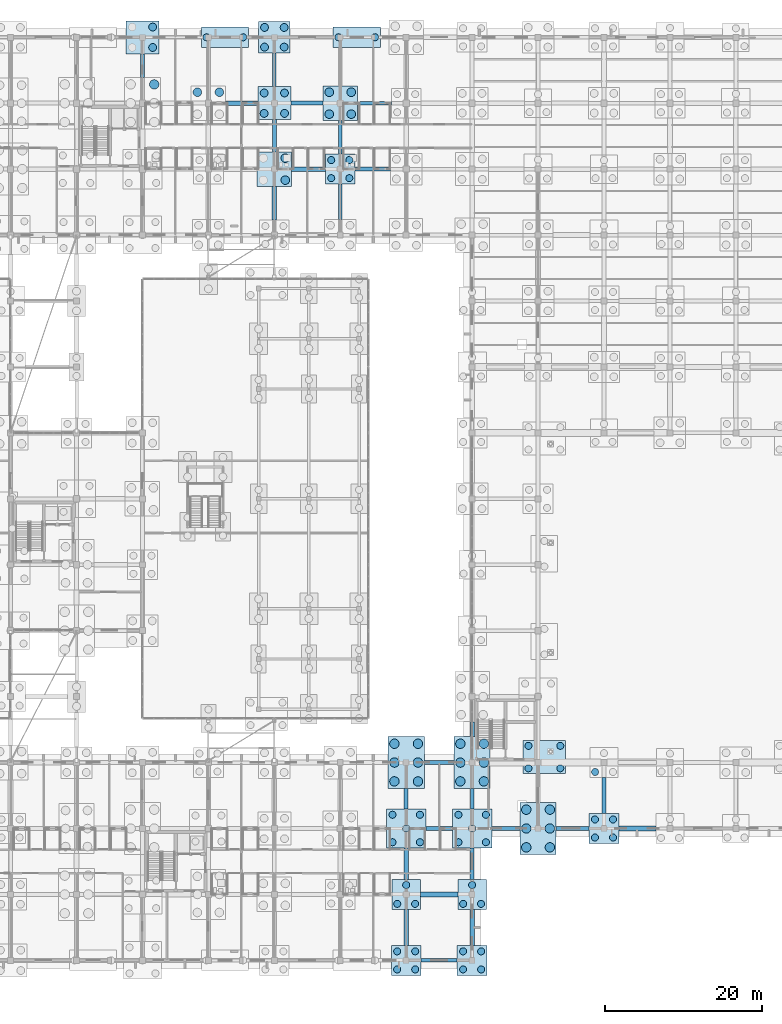
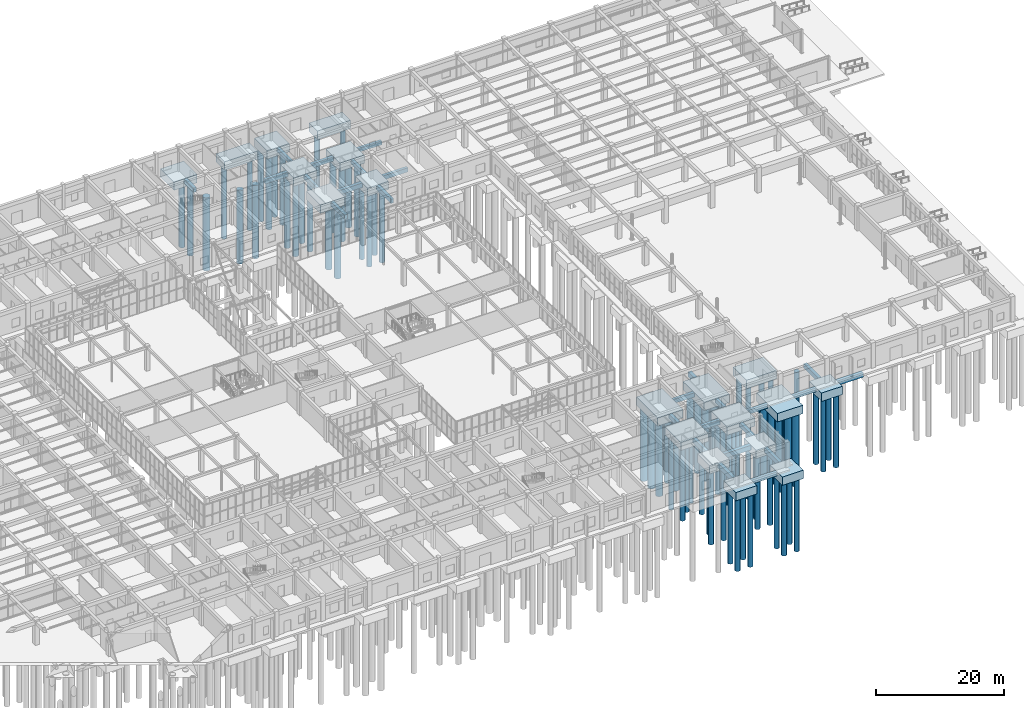
# One storey, part 12 of 192: 78 piles, 45 footings.
"""IFC4 building model written with IfcOpenShell, lengths in metres."""

import ifcopenshell
import ifcopenshell.guid

model = None  # the IFC model being written
_history = None  # IfcOwnerHistory: only IFC2X3 demands one
_inside = {}  # id of a spatial element -> (the spatial element, [elements in it])
_under = {}  # id of a project, library or spatial element -> (it, [spatial elements below it])
_declared = {}  # id of a project -> (the project, [libraries it declares])
_typed = {}  # id of a type object -> (the type object, [elements of that type])
_made_of = {}  # id of a material, layer set ... -> (it, [elements and type objects made of it])


def new_model(schema):
    """Start an empty IFC model of exactly this schema.

    Asked for "IFC4X3", IfcOpenShell would pick the latest addendum, in which some entities
    have other attributes; the version numbers below select the first issue.
    IFC2X3 requires an IfcOwnerHistory on every rooted entity: one is made here for all.
    """
    global model, _history
    if schema == "IFC4X3":
        model = ifcopenshell.file(schema_version=(4, 3, 0, 0))
    else:
        model = ifcopenshell.file(schema=schema)
    _inside.clear()
    _under.clear()
    _declared.clear()
    _typed.clear()
    _made_of.clear()
    _history = None
    if model.schema == "IFC2X3":
        org = make("IfcOrganization", Name="unknown")
        user = make(
            "IfcPersonAndOrganization",
            ThePerson=make("IfcPerson", FamilyName="unknown"),
            TheOrganization=org,
        )
        app = make(
            "IfcApplication",
            ApplicationDeveloper=org,
            Version="unknown",
            ApplicationFullName="unknown",
            ApplicationIdentifier="unknown",
        )
        _history = make(
            "IfcOwnerHistory",
            OwningUser=user,
            OwningApplication=app,
            ChangeAction="ADDED",
            CreationDate=0,
        )
    return model


def make(cls, **values):
    """One entity of the class cls with the attributes given. An attribute that is None is left unset."""
    return model.create_entity(
        cls, **{name: value for name, value in values.items() if value is not None}
    )


def rooted(cls, **values):
    """An entity with a GlobalId (a new one), such as an element, a storey or a relation."""
    return make(cls, GlobalId=ifcopenshell.guid.new(), OwnerHistory=_history, **values)


def si_unit(unit_type, name, prefix=None):
    """IfcSIUnit, for example si_unit("LENGTHUNIT", "METRE", prefix="MILLI")."""
    return make("IfcSIUnit", UnitType=unit_type, Prefix=prefix, Name=name)


def assignment(units):
    """IfcUnitAssignment: the units of a project."""
    return None if units is None else make("IfcUnitAssignment", Units=units)


def point(xyz):
    """IfcCartesianPoint."""
    return None if xyz is None else make("IfcCartesianPoint", Coordinates=xyz)


def direction(xyz):
    """IfcDirection."""
    return None if xyz is None else make("IfcDirection", DirectionRatios=xyz)


def frame(location, z_axis=None, x_axis=None):
    """IfcAxis2Placement3D, a coordinate frame: its origin and axes. An axis left out is left unset."""
    return make(
        "IfcAxis2Placement3D",
        Location=point(location),
        Axis=direction(z_axis),
        RefDirection=direction(x_axis),
    )


def frame_2d(location, x_axis=None):
    """IfcAxis2Placement2D, a coordinate frame in the plane: its origin and x axis."""
    return make(
        "IfcAxis2Placement2D", Location=point(location), RefDirection=direction(x_axis)
    )


def origin():
    """The frame at (0, 0, 0) with its axes left unset."""
    return frame((0.0, 0.0, 0.0))


def origin_2d():
    """The frame at (0, 0) in the plane with its x axis left unset."""
    return frame_2d((0.0, 0.0))


def place(relative_to, where):
    """IfcLocalPlacement: puts the frame where relative to a parent placement (None: the world)."""
    return make(
        "IfcLocalPlacement", PlacementRelTo=relative_to, RelativePlacement=where
    )


def context(
    kind, dimensions, precision=None, world=None, true_north=None, identifier=None
):
    """IfcGeometricRepresentationContext, for example the 3D "Model" context."""
    return make(
        "IfcGeometricRepresentationContext",
        ContextIdentifier=identifier,
        ContextType=kind,
        CoordinateSpaceDimension=dimensions,
        Precision=precision,
        WorldCoordinateSystem=world,
        TrueNorth=true_north,
    )


def subcontext(parent, identifier, kind, view, scale=None):
    """IfcGeometricRepresentationSubContext, for example "Body" below "Model"."""
    return make(
        "IfcGeometricRepresentationSubContext",
        ContextIdentifier=identifier,
        ContextType=kind,
        ParentContext=parent,
        TargetScale=scale,
        TargetView=view,
    )


def project(units=None, contexts=None):
    """IfcProject with its units and contexts."""
    return rooted(
        "IfcProject",
        Name="project",
        RepresentationContexts=contexts,
        UnitsInContext=assignment(units),
    )


def spatial(cls, under=None, at=None, **own):
    """A site, building, storey or space (cls), placed at a placement, below another one or the project."""
    s = rooted(cls, ObjectPlacement=at, **own)
    if under is not None:
        _under.setdefault(under.id(), (under, []))[1].append(s)
    return s


def profile(cls, at=None, kind="AREA", **sizes):
    """A parametric profile (cls). Its sizes go by their IFC names, for example OverallWidth=200.0."""
    return make(cls, ProfileType=kind, Position=at, **sizes)


def rectangle(**sizes):
    """IfcRectangleProfileDef."""
    return profile("IfcRectangleProfileDef", **sizes)


def circle(**sizes):
    """IfcCircleProfileDef."""
    return profile("IfcCircleProfileDef", **sizes)


def extrude(swept, where, along, depth):
    """IfcExtrudedAreaSolid: the profile swept, set in the frame where, extruded along a direction by depth."""
    return make(
        "IfcExtrudedAreaSolid",
        SweptArea=swept,
        Position=where,
        ExtrudedDirection=direction(along),
        Depth=depth,
    )


def shape(context_of_items, identifier, shape_type, items):
    """IfcShapeRepresentation: the items that make up one representation, for example the "Body"."""
    return make(
        "IfcShapeRepresentation",
        ContextOfItems=context_of_items,
        RepresentationIdentifier=identifier,
        RepresentationType=shape_type,
        Items=items,
    )


def material(Name=None, Category=None):
    """IfcMaterial."""
    return make("IfcMaterial", Name=Name, Category=Category)


def layer(
    of_material, thickness, ventilated=None, Name=None, Category=None, Priority=None
):
    """IfcMaterialLayer: one layer of a wall or slab, of a material (None: an air gap)."""
    return make(
        "IfcMaterialLayer",
        Material=of_material,
        LayerThickness=thickness,
        IsVentilated=ventilated,
        Name=Name,
        Category=Category,
        Priority=Priority,
    )


def layer_set(layers, Name=None):
    """IfcMaterialLayerSet."""
    return make("IfcMaterialLayerSet", MaterialLayers=layers, LayerSetName=Name)


def material_profile(
    of_material, cross_section, Name=None, Category=None, Priority=None
):
    """IfcMaterialProfile: a cross section and its material."""
    return make(
        "IfcMaterialProfile",
        Name=Name,
        Material=of_material,
        Profile=cross_section,
        Priority=Priority,
        Category=Category,
    )


def profile_set(profiles, Name=None, composite=None):
    """IfcMaterialProfileSet."""
    return make(
        "IfcMaterialProfileSet",
        Name=Name,
        MaterialProfiles=profiles,
        CompositeProfile=composite,
    )


def made_of(thing, what):
    """Note that an element or type object is made of a material, layer set ...; save() writes the relation."""
    if what is not None:
        _made_of.setdefault(what.id(), (what, []))[1].append(thing)
    return thing


def type_object(cls, material=None, **own):
    """A type object (cls), such as IfcWallType, which elements share."""
    return made_of(rooted(cls, **own), material)


def element(
    cls,
    number,
    at=None,
    inside=None,
    cuts=None,
    type_object=None,
    material=None,
    context=None,
    identifier="Body",
    shape_type=None,
    held_by="IfcProductDefinitionShape",
    body=None,
    shapes=None,
    **own,
):
    """One element of the class cls, such as IfcWall. Its Tag is "e" and its number.

    at: its placement. inside: the storey or other place that contains it. cuts: it is an
    opening in that element (IfcRelVoidsElement). A single representation is given by context,
    identifier, shape_type and body (its items); several are given by shapes. held_by: the class
    of the entity that holds the representations. save() writes the other relations.
    """
    e = rooted(cls, Tag="e%d" % number, ObjectPlacement=at, **own)
    if body is not None:
        shapes = [shape(context, identifier, shape_type, body)]
    if shapes is not None:
        e.Representation = make(held_by, Representations=shapes)
    if inside is not None:
        _inside.setdefault(inside.id(), (inside, []))[1].append(e)
    if cuts is not None:
        rooted(
            "IfcRelVoidsElement", RelatingBuildingElement=cuts, RelatedOpeningElement=e
        )
    if type_object is not None:
        _typed.setdefault(type_object.id(), (type_object, []))[1].append(e)
    return made_of(e, material)


def aggregate(whole, parts):
    """IfcRelAggregates: a whole, such as a stair, and the parts it consists of."""
    return rooted("IfcRelAggregates", RelatingObject=whole, RelatedObjects=parts)


def save(model, path):
    """Write the relations noted so far, then the file.

    IfcRelAggregates (storeys below a building ...), IfcRelContainedInSpatialStructure (elements
    in a storey), IfcRelDefinesByType, IfcRelAssociatesMaterial and IfcRelDeclares: one each for
    every whole, place, type object, material and project.
    """
    for whole, parts in _under.values():
        aggregate(whole, parts)
    for where, things in _inside.values():
        rooted(
            "IfcRelContainedInSpatialStructure",
            RelatedElements=things,
            RelatingStructure=where,
        )
    for kind, things in _typed.values():
        rooted("IfcRelDefinesByType", RelatedObjects=things, RelatingType=kind)
    for what, things in _made_of.values():
        rooted("IfcRelAssociatesMaterial", RelatedObjects=things, RelatingMaterial=what)
    for by, libraries in _declared.values():
        rooted("IfcRelDeclares", RelatingContext=by, RelatedDefinitions=libraries)
    model.write(path)


model = new_model("IFC4")

# Units and contexts
model_context = context("Model", 3, precision=1e-05, world=origin(), true_north=direction((0.0, 1.0)))
body_context = subcontext(model_context, "Body", "Model", "MODEL_VIEW")
ifc_project = project(units=[si_unit("LENGTHUNIT", "METRE"), si_unit("AREAUNIT", "SQUARE_METRE"), si_unit("VOLUMEUNIT", "CUBIC_METRE"), si_unit("PLANEANGLEUNIT", "RADIAN"), si_unit("MASSUNIT", "GRAM", prefix="KILO")], contexts=[model_context])

# Site, building, storey
site_placement = place(None, origin())
site = spatial("IfcSite", under=ifc_project, at=site_placement, CompositionType="ELEMENT")
building_placement = place(site_placement, origin())
building = spatial("IfcBuilding", under=site, at=building_placement, Name="Trelvath General Hospital", CompositionType="ELEMENT")
storey_placement = place(building_placement, origin())
storey = spatial("IfcBuildingStorey", under=building, at=storey_placement, Name="L00", CompositionType="ELEMENT", Elevation=0.0)

# Piles
ifc_material_1 = material(Name="Concrete C35/45", Category="concrete")
ifc_material_profile_1 = material_profile(ifc_material_1, circle(Radius=0.5, at=origin_2d()), Name="PILE1000")
ifc_profile_set_1 = profile_set([ifc_material_profile_1], Name="Concrete C35/45")
pile_type_1 = type_object("IfcPileType", Name="BoredPile D1000", PredefinedType="BORED", material=ifc_profile_set_1)
for number, where, z_axis, x_axis, name in (
    (1, (93.699951171875, 116.300048828125, -1.800048828125), (0.0, 0.0, -1.0), (1.0, 0.0, 0.0), "Bored Pile P-0698"),
    (2, (93.699951171875, 118.89990234375, -1.800048828125), (0.0, 0.0, -1.0), (1.0, 0.0, 0.0), "Bored Pile P-0700"),
    (3, (107.89990234375, 107.89990234375, -1.800048828125), (0.0, 0.0, -1.0), (1.0, 0.0, 0.0), "Bored Pile P-0786"),
    (4, (110.5, 107.89990234375, -1.800048828125), (0.0, 0.0, -1.0), (1.0, 0.0, 0.0), "Bored Pile P-0787"),
    (5, (107.89990234375, 110.5, -1.800048828125), (0.0, 0.0, -1.0), (1.0, 0.0, 0.0), "Bored Pile P-0788"),
    (6, (110.5, 110.5, -1.800048828125), (0.0, 0.0, -1.0), (1.0, 0.0, 0.0), "Bored Pile P-0789"),
    (7, (107.949951171875, 116.35009765625, -1.800048828125), (0.0, 0.0, -1.0), (1.0, 0.0, 0.0), "Bored Pile P-0790"),
    (8, (110.449951171875, 116.35009765625, -1.800048828125), (0.0, 0.0, -1.0), (1.0, 0.0, 0.0), "Bored Pile P-0791"),
    (9, (107.949951171875, 118.85009765625, -1.800048828125), (0.0, 0.0, -1.0), (1.0, 0.0, 0.0), "Bored Pile P-0792"),
    (10, (110.449951171875, 118.85009765625, -1.800048828125), (0.0, 0.0, -1.0), (1.0, 0.0, 0.0), "Bored Pile P-0793"),
):
    element("IfcPile", number, at=place(storey_placement, frame(where, z_axis=z_axis, x_axis=x_axis)), inside=storey, type_object=pile_type_1, Name=name, PredefinedType="BORED", context=body_context, shape_type="SweptSolid", body=[
        extrude(circle(Radius=0.5, at=origin_2d()), origin(), (0.0, 0.0, 1.0), 14.0),
    ])
ifc_material_2 = material(Name="Concrete C35/45", Category="concrete")
ifc_material_profile_2 = material_profile(ifc_material_2, circle(Radius=0.550048828125, at=origin_2d()), Name="PILE1100")
ifc_profile_set_2 = profile_set([ifc_material_profile_2], Name="Concrete C35/45")
pile_type_2 = type_object("IfcPileType", Name="BoredPile D1100", PredefinedType="BORED", material=ifc_profile_set_2)
for number, where, z_axis, x_axis, name in (
    (11, (99.39990234375, 110.60009765625, -1.800048828125), (0.0, 0.0, -1.0), (1.0, 0.0, 0.0), "Bored Pile P-0736"),
    (12, (102.199951171875, 110.60009765625, -1.800048828125), (0.0, 0.0, -1.0), (1.0, 0.0, 0.0), "Bored Pile P-0737"),
    (13, (110.60009765625, 99.39990234375, -1.800048828125), (0.0, 0.0, -1.0), (1.0, 0.0, 0.0), "Bored Pile P-0783"),
    (14, (110.60009765625, 102.199951171875, -1.800048828125), (0.0, 0.0, -1.0), (1.0, 0.0, 0.0), "Bored Pile P-0785"),
    (15, (116.199951171875, 107.800048828125, -1.800048828125), (0.0, 0.0, -1.0), (1.0, 0.0, 0.0), "Bored Pile P-0830"),
    (16, (119.0, 107.800048828125, -1.800048828125), (0.0, 0.0, -1.0), (1.0, 0.0, 0.0), "Bored Pile P-0831"),
    (17, (116.199951171875, 110.60009765625, -1.800048828125), (0.0, 0.0, -1.0), (1.0, 0.0, 0.0), "Bored Pile P-0832"),
    (18, (119.0, 110.60009765625, -1.800048828125), (0.0, 0.0, -1.0), (1.0, 0.0, 0.0), "Bored Pile P-0833"),
):
    element("IfcPile", number, at=place(storey_placement, frame(where, z_axis=z_axis, x_axis=x_axis)), inside=storey, type_object=pile_type_2, Name=name, PredefinedType="BORED", context=body_context, shape_type="SweptSolid", body=[
        extrude(circle(Radius=0.550048828125, at=origin_2d()), origin(), (0.0, 0.0, 1.0), 14.0),
    ])
ifc_material_3 = material(Name="Concrete C35/45", Category="concrete")
ifc_material_profile_3 = material_profile(ifc_material_3, circle(Radius=0.60009765625, at=origin_2d()), Name="PILE1200")
ifc_profile_set_3 = profile_set([ifc_material_profile_3], Name="Concrete C35/45")
pile_type_3 = type_object("IfcPileType", Name="BoredPile D1200", PredefinedType="BORED", material=ifc_profile_set_3)
for number, where, z_axis, x_axis, name in (
    (19, (93.89990234375, 111.60009765625, -1.800048828125), (0.0, 0.0, -1.0), (1.0, 0.0, 0.0), "Bored Pile P-0696"),
    (20, (124.5, 22.800048828125, -1.800048828125), (0.0, 0.0, -1.0), (1.0, 0.0, 0.0), "Bored Pile P-0862"),
    (21, (127.5, 22.800048828125, -1.800048828125), (0.0, 0.0, -1.0), (1.0, 0.0, 0.0), "Bored Pile P-0863"),
    (22, (124.5, 25.199951171875, -1.800048828125), (0.0, 0.0, -1.0), (1.0, 0.0, 0.0), "Bored Pile P-0864"),
    (23, (127.5, 25.199951171875, -1.800048828125), (0.0, 0.0, -1.0), (1.0, 0.0, 0.0), "Bored Pile P-0865"),
    (24, (124.5, 27.60009765625, -1.800048828125), (0.0, 0.0, -1.0), (1.0, 0.0, 0.0), "Bored Pile P-0866"),
    (25, (127.5, 27.60009765625, -1.800048828125), (0.0, 0.0, -1.0), (1.0, 0.0, 0.0), "Bored Pile P-0867"),
    (26, (132.89990234375, 22.800048828125, -1.800048828125), (0.0, 0.0, -1.0), (1.0, 0.0, 0.0), "Bored Pile P-0896"),
    (27, (135.89990234375, 22.800048828125, -1.800048828125), (0.0, 0.0, -1.0), (1.0, 0.0, 0.0), "Bored Pile P-0897"),
    (28, (132.89990234375, 25.199951171875, -1.800048828125), (0.0, 0.0, -1.0), (1.0, 0.0, 0.0), "Bored Pile P-0898"),
    (29, (135.89990234375, 25.199951171875, -1.800048828125), (0.0, 0.0, -1.0), (1.0, 0.0, 0.0), "Bored Pile P-0899"),
    (30, (132.89990234375, 27.60009765625, -1.800048828125), (0.0, 0.0, -1.0), (1.0, 0.0, 0.0), "Bored Pile P-0900"),
    (31, (135.89990234375, 27.60009765625, -1.800048828125), (0.0, 0.0, -1.0), (1.0, 0.0, 0.0), "Bored Pile P-0901"),
    (32, (141.300048828125, 14.39990234375, -1.800048828125), (0.0, 0.0, -1.0), (1.0, 0.0, 0.0), "Bored Pile P-0944"),
    (33, (144.300048828125, 14.39990234375, -1.800048828125), (0.0, 0.0, -1.0), (1.0, 0.0, 0.0), "Bored Pile P-0945"),
    (34, (141.300048828125, 16.800048828125, -1.800048828125), (0.0, 0.0, -1.0), (1.0, 0.0, 0.0), "Bored Pile P-0946"),
    (35, (144.300048828125, 16.800048828125, -1.800048828125), (0.0, 0.0, -1.0), (1.0, 0.0, 0.0), "Bored Pile P-0947"),
    (36, (141.300048828125, 19.199951171875, -1.800048828125), (0.0, 0.0, -1.0), (1.0, 0.0, 0.0), "Bored Pile P-0948"),
    (37, (144.300048828125, 19.199951171875, -1.800048828125), (0.0, 0.0, -1.0), (1.0, 0.0, 0.0), "Bored Pile P-0949"),
):
    element("IfcPile", number, at=place(storey_placement, frame(where, z_axis=z_axis, x_axis=x_axis)), inside=storey, type_object=pile_type_3, Name=name, PredefinedType="BORED", context=body_context, shape_type="SweptSolid", body=[
        extrude(circle(Radius=0.60009765625, at=origin_2d()), origin(), (0.0, 0.0, 1.0), 14.0),
    ])
ifc_material_4 = material(Name="Concrete C35/45", Category="concrete")
ifc_material_profile_4 = material_profile(ifc_material_4, circle(Radius=0.449951171875, at=origin_2d()), Name="PILE900")
ifc_profile_set_4 = profile_set([ifc_material_profile_4], Name="Concrete C35/45")
pile_type_4 = type_object("IfcPileType", Name="BoredPile D900", PredefinedType="BORED", material=ifc_profile_set_4)
for number, where, z_axis, x_axis, name in (
    (38, (100.570068359375, 117.60009765625, -1.800048828125), (0.0, 0.0, -1.0), (1.0, 0.0, 0.0), "Bored Pile P-0738"),
    (39, (105.22998046875, 117.60009765625, -1.800048828125), (0.0, 0.0, -1.0), (1.0, 0.0, 0.0), "Bored Pile P-0739"),
    (40, (116.449951171875, 99.64990234375, -1.800048828125), (0.0, 0.0, -1.0), (1.0, 0.0, 0.0), "Bored Pile P-0826"),
    (41, (118.75, 99.64990234375, -1.800048828125), (0.0, 0.0, -1.0), (1.0, 0.0, 0.0), "Bored Pile P-0827"),
    (42, (116.449951171875, 101.949951171875, -1.800048828125), (0.0, 0.0, -1.0), (1.0, 0.0, 0.0), "Bored Pile P-0828"),
    (43, (118.75, 101.949951171875, -1.800048828125), (0.0, 0.0, -1.0), (1.0, 0.0, 0.0), "Bored Pile P-0829"),
    (44, (117.3701171875, 117.60009765625, -1.800048828125), (0.0, 0.0, -1.0), (1.0, 0.0, 0.0), "Bored Pile P-0834"),
    (45, (122.030029296875, 117.60009765625, -1.800048828125), (0.0, 0.0, -1.0), (1.0, 0.0, 0.0), "Bored Pile P-0835"),
    (46, (124.85009765625, -1.14990234375, -1.800048828125), (0.0, 0.0, -1.0), (1.0, 0.0, 0.0), "Bored Pile P-0850"),
    (47, (127.14990234375, -1.14990234375, -1.800048828125), (0.0, 0.0, -1.0), (1.0, 0.0, 0.0), "Bored Pile P-0851"),
    (48, (124.85009765625, 1.14990234375, -1.800048828125), (0.0, 0.0, -1.0), (1.0, 0.0, 0.0), "Bored Pile P-0852"),
    (49, (127.14990234375, 1.14990234375, -1.800048828125), (0.0, 0.0, -1.0), (1.0, 0.0, 0.0), "Bored Pile P-0853"),
    (50, (124.860107421875, 7.199951171875, -1.800048828125), (0.0, 0.0, -1.0), (1.0, 0.0, 0.0), "Bored Pile P-0854"),
    (51, (127.139892578125, 7.199951171875, -1.800048828125), (0.0, 0.0, -1.0), (1.0, 0.0, 0.0), "Bored Pile P-0855"),
    (52, (126.0, 9.60009765625, -1.800048828125), (0.0, 0.0, -1.0), (1.0, 0.0, 0.0), "Bored Pile P-0856"),
    (53, (124.25, 15.050048828125, -1.800048828125), (0.0, 0.0, -1.0), (1.0, 0.0, 0.0), "Bored Pile P-0857"),
    (54, (127.75, 15.050048828125, -1.800048828125), (0.0, 0.0, -1.0), (1.0, 0.0, 0.0), "Bored Pile P-0858"),
    (55, (126.0, 16.800048828125, -1.800048828125), (0.0, 0.0, -1.0), (1.0, 0.0, 0.0), "Bored Pile P-0859"),
    (56, (124.25, 18.550048828125, -1.800048828125), (0.0, 0.0, -1.0), (1.0, 0.0, 0.0), "Bored Pile P-0860"),
    (57, (127.75, 18.550048828125, -1.800048828125), (0.0, 0.0, -1.0), (1.0, 0.0, 0.0), "Bored Pile P-0861"),
    (58, (133.25, -1.14990234375, -1.800048828125), (0.0, 0.0, -1.0), (1.0, 0.0, 0.0), "Bored Pile P-0884"),
    (59, (135.550048828125, -1.14990234375, -1.800048828125), (0.0, 0.0, -1.0), (1.0, 0.0, 0.0), "Bored Pile P-0885"),
    (60, (133.25, 1.14990234375, -1.800048828125), (0.0, 0.0, -1.0), (1.0, 0.0, 0.0), "Bored Pile P-0886"),
    (61, (135.550048828125, 1.14990234375, -1.800048828125), (0.0, 0.0, -1.0), (1.0, 0.0, 0.0), "Bored Pile P-0887"),
    (62, (133.260009765625, 7.199951171875, -1.800048828125), (0.0, 0.0, -1.0), (1.0, 0.0, 0.0), "Bored Pile P-0888"),
    (63, (135.5400390625, 7.199951171875, -1.800048828125), (0.0, 0.0, -1.0), (1.0, 0.0, 0.0), "Bored Pile P-0889"),
    (64, (134.39990234375, 9.60009765625, -1.800048828125), (0.0, 0.0, -1.0), (1.0, 0.0, 0.0), "Bored Pile P-0890"),
    (65, (132.64990234375, 15.050048828125, -1.800048828125), (0.0, 0.0, -1.0), (1.0, 0.0, 0.0), "Bored Pile P-0891"),
    (66, (136.14990234375, 15.050048828125, -1.800048828125), (0.0, 0.0, -1.0), (1.0, 0.0, 0.0), "Bored Pile P-0892"),
    (67, (134.39990234375, 16.800048828125, -1.800048828125), (0.0, 0.0, -1.0), (1.0, 0.0, 0.0), "Bored Pile P-0893"),
    (68, (132.64990234375, 18.550048828125, -1.800048828125), (0.0, 0.0, -1.0), (1.0, 0.0, 0.0), "Bored Pile P-0894"),
    (69, (136.14990234375, 18.550048828125, -1.800048828125), (0.0, 0.0, -1.0), (1.0, 0.0, 0.0), "Bored Pile P-0895"),
    (70, (141.570068359375, 24.469970703125, -1.800048828125), (0.0, 0.0, -1.0), (1.0, 0.0, 0.0), "Bored Pile P-0950"),
    (71, (141.570068359375, 27.330078125, -1.800048828125), (0.0, 0.0, -1.0), (1.0, 0.0, 0.0), "Bored Pile P-0951"),
    (72, (145.6298828125, 24.469970703125, -1.800048828125), (0.0, 0.0, -1.0), (1.0, 0.0, 0.0), "Bored Pile P-0952"),
    (73, (145.6298828125, 27.330078125, -1.800048828125), (0.0, 0.0, -1.0), (1.0, 0.0, 0.0), "Bored Pile P-0953"),
    (74, (150.050048828125, 15.64990234375, -1.800048828125), (0.0, 0.0, -1.0), (1.0, 0.0, 0.0), "Bored Pile P-0992"),
    (75, (152.35009765625, 15.64990234375, -1.800048828125), (0.0, 0.0, -1.0), (1.0, 0.0, 0.0), "Bored Pile P-0993"),
    (76, (150.050048828125, 17.949951171875, -1.800048828125), (0.0, 0.0, -1.0), (1.0, 0.0, 0.0), "Bored Pile P-0994"),
    (77, (152.35009765625, 17.949951171875, -1.800048828125), (0.0, 0.0, -1.0), (1.0, 0.0, 0.0), "Bored Pile P-0995"),
    (78, (150.06005859375, 24.0, -1.800048828125), (0.0, 0.0, -1.0), (1.0, 0.0, 0.0), "Bored Pile P-0996"),
):
    element("IfcPile", number, at=place(storey_placement, frame(where, z_axis=z_axis, x_axis=x_axis)), inside=storey, type_object=pile_type_4, Name=name, PredefinedType="BORED", context=body_context, shape_type="SweptSolid", body=[
        extrude(circle(Radius=0.449951171875, at=origin_2d()), origin(), (0.0, 0.0, 1.0), 14.0),
    ])

# Footings
ifc_material_5 = material(Name="Concrete C35/45", Category="concrete")
ifc_layer_1 = layer(ifc_material_5, 1.60009765625)
ifc_layer_set_1 = layer_set([ifc_layer_1], Name="Concrete C35/45")
footing_type_1 = type_object("IfcFootingType", Name="PileCap 3P 360x380", PredefinedType="PILE_CAP", material=ifc_layer_set_1)
for number, where, z_axis, x_axis, name in (
    (79, (126.0, 8.39990234375, -1.900146484375), (0.0, 0.0, 1.0), (1.0, 0.0, 0.0), "Pile Cap PC-235"),
    (80, (134.39990234375, 8.39990234375, -1.900146484375), (0.0, 0.0, 1.0), (1.0, 0.0, 0.0), "Pile Cap PC-243"),
):
    element("IfcFooting", number, at=place(storey_placement, frame(where, z_axis=z_axis, x_axis=x_axis)), inside=storey, type_object=footing_type_1, Name=name, PredefinedType="PILE_CAP", context=body_context, shape_type="SweptSolid", body=[
        extrude(rectangle(XDim=3.60009765625, YDim=3.800048828125, at=origin_2d()), origin(), (0.0, 0.0, 1.0), 1.60009765625),
    ])
ifc_material_6 = material(Name="Concrete C35/45", Category="concrete")
ifc_layer_2 = layer(ifc_material_6, 1.60009765625)
ifc_layer_set_2 = layer_set([ifc_layer_2], Name="Concrete C35/45")
footing_type_2 = type_object("IfcFootingType", Name="PileCap 4P 380x380", PredefinedType="PILE_CAP", material=ifc_layer_set_2)
for number, where, z_axis, x_axis, name in (
    (81, (117.60009765625, 100.800048828125, -1.900146484375), (0.0, 0.0, 1.0), (1.0, 0.0, 0.0), "Pile Cap PC-224"),
    (82, (126.0, 0.0, -1.900146484375), (0.0, 0.0, 1.0), (1.0, 0.0, 0.0), "Pile Cap PC-234"),
    (83, (134.39990234375, 0.0, -1.900146484375), (0.0, 0.0, 1.0), (1.0, 0.0, 0.0), "Pile Cap PC-242"),
    (84, (151.199951171875, 16.800048828125, -1.900146484375), (0.0, 0.0, 1.0), (1.0, 0.0, 0.0), "Pile Cap PC-270"),
):
    element("IfcFooting", number, at=place(storey_placement, frame(where, z_axis=z_axis, x_axis=x_axis)), inside=storey, type_object=footing_type_2, Name=name, PredefinedType="PILE_CAP", context=body_context, shape_type="SweptSolid", body=[
        extrude(rectangle(XDim=3.800048828125, YDim=3.800048828125, at=origin_2d()), origin(), (0.0, 0.0, 1.0), 1.60009765625),
    ])
ifc_material_7 = material(Name="Concrete C35/45", Category="concrete")
ifc_layer_3 = layer(ifc_material_7, 1.60009765625)
ifc_layer_set_3 = layer_set([ifc_layer_3], Name="Concrete C35/45")
footing_type_3 = type_object("IfcFootingType", Name="PileCap 4P 400x400", PredefinedType="PILE_CAP", material=ifc_layer_set_3)
footing_1_placement = place(storey_placement, frame((109.199951171875, 117.60009765625, -1.900146484375), z_axis=(0.0, 0.0, 1.0), x_axis=(1.0, 0.0, 0.0)))
element("IfcFooting", 85, at=footing_1_placement, inside=storey, type_object=footing_type_3, Name="Pile Cap PC-211", PredefinedType="PILE_CAP", context=body_context, shape_type="SweptSolid", body=[
    extrude(rectangle(XDim=4.0, YDim=4.0, at=origin_2d()), origin(), (0.0, 0.0, 1.0), 1.60009765625),
])
ifc_material_8 = material(Name="Concrete C35/45", Category="concrete")
ifc_layer_4 = layer(ifc_material_8, 1.60009765625)
ifc_layer_set_4 = layer_set([ifc_layer_4], Name="Concrete C35/45")
footing_type_4 = type_object("IfcFootingType", Name="PileCap 4P 420x420", PredefinedType="PILE_CAP", material=ifc_layer_set_4)
for number, where, z_axis, x_axis, name in (
    (86, (92.39990234375, 117.60009765625, -1.900146484375), (0.0, 0.0, 1.0), (1.0, 0.0, 0.0), "Pile Cap PC-182"),
    (87, (109.199951171875, 109.199951171875, -1.900146484375), (0.0, 0.0, 1.0), (1.0, 0.0, 0.0), "Pile Cap PC-210"),
):
    element("IfcFooting", number, at=place(storey_placement, frame(where, z_axis=z_axis, x_axis=x_axis)), inside=storey, type_object=footing_type_4, Name=name, PredefinedType="PILE_CAP", context=body_context, shape_type="SweptSolid", body=[
        extrude(rectangle(XDim=4.199951171875, YDim=4.199951171875, at=origin_2d()), origin(), (0.0, 0.0, 1.0), 1.60009765625),
    ])
ifc_material_9 = material(Name="Concrete C35/45", Category="concrete")
ifc_layer_5 = layer(ifc_material_9, 1.60009765625)
ifc_layer_set_5 = layer_set([ifc_layer_5], Name="Concrete C35/45")
footing_type_5 = type_object("IfcFootingType", Name="PileCap 4P 440x440", PredefinedType="PILE_CAP", material=ifc_layer_set_5)
for number, where, z_axis, x_axis, name in (
    (88, (109.199951171875, 100.800048828125, -1.900146484375), (0.0, 0.0, 1.0), (1.0, 0.0, 0.0), "Pile Cap PC-209"),
    (89, (117.60009765625, 109.199951171875, -1.900146484375), (0.0, 0.0, 1.0), (1.0, 0.0, 0.0), "Pile Cap PC-225"),
):
    element("IfcFooting", number, at=place(storey_placement, frame(where, z_axis=z_axis, x_axis=x_axis)), inside=storey, type_object=footing_type_5, Name=name, PredefinedType="PILE_CAP", context=body_context, shape_type="SweptSolid", body=[
        extrude(rectangle(XDim=4.39990234375, YDim=4.39990234375, at=origin_2d()), origin(), (0.0, 0.0, 1.0), 1.60009765625),
    ])
ifc_material_10 = material(Name="Concrete C35/45", Category="concrete")
ifc_layer_6 = layer(ifc_material_10, 1.60009765625)
ifc_layer_set_6 = layer_set([ifc_layer_6], Name="Concrete C35/45")
footing_type_6 = type_object("IfcFootingType", Name="PileCap 5P 500x500", PredefinedType="PILE_CAP", material=ifc_layer_set_6)
for number, where, z_axis, x_axis, name in (
    (90, (126.0, 16.800048828125, -1.900146484375), (0.0, 0.0, 1.0), (1.0, 0.0, 0.0), "Pile Cap PC-236"),
    (91, (134.39990234375, 16.800048828125, -1.900146484375), (0.0, 0.0, 1.0), (1.0, 0.0, 0.0), "Pile Cap PC-244"),
):
    element("IfcFooting", number, at=place(storey_placement, frame(where, z_axis=z_axis, x_axis=x_axis)), inside=storey, type_object=footing_type_6, Name=name, PredefinedType="PILE_CAP", context=body_context, shape_type="SweptSolid", body=[
        extrude(rectangle(XDim=5.0, YDim=5.0, at=origin_2d()), origin(), (0.0, 0.0, 1.0), 1.60009765625),
    ])
ifc_material_11 = material(Name="Concrete C35/45", Category="concrete")
ifc_layer_7 = layer(ifc_material_11, 1.60009765625)
ifc_layer_set_7 = layer_set([ifc_layer_7], Name="Concrete C35/45")
footing_type_7 = type_object("IfcFootingType", Name="PileCap 6P 460x660", PredefinedType="PILE_CAP", material=ifc_layer_set_7)
for number, where, z_axis, x_axis, name in (
    (92, (126.0, 25.199951171875, -1.900146484375), (0.0, 0.0, 1.0), (1.0, 0.0, 0.0), "Pile Cap PC-237"),
    (93, (134.39990234375, 25.199951171875, -1.900146484375), (0.0, 0.0, 1.0), (1.0, 0.0, 0.0), "Pile Cap PC-245"),
    (94, (142.800048828125, 16.800048828125, -1.900146484375), (0.0, 0.0, 1.0), (1.0, 0.0, 0.0), "Pile Cap PC-257"),
):
    element("IfcFooting", number, at=place(storey_placement, frame(where, z_axis=z_axis, x_axis=x_axis)), inside=storey, type_object=footing_type_7, Name=name, PredefinedType="PILE_CAP", context=body_context, shape_type="SweptSolid", body=[
        extrude(rectangle(XDim=4.60009765625, YDim=6.60009765625, at=origin_2d()), origin(), (0.0, 0.0, 1.0), 1.60009765625),
    ])
ifc_material_12 = material(Name="Concrete C35/45", Category="concrete")
ifc_layer_8 = layer(ifc_material_12, 1.60009765625)
ifc_layer_set_8 = layer_set([ifc_layer_8], Name="Concrete C35/45")
footing_type_8 = type_object("IfcFootingType", Name="PileCap Comb 600x260", PredefinedType="PILE_CAP", material=ifc_layer_set_8)
for number, where, z_axis, x_axis, name in (
    (95, (102.89990234375, 117.60009765625, -1.900146484375), (0.0, 0.0, 1.0), (1.0, 0.0, 0.0), "Pile Cap PC-194"),
    (96, (119.699951171875, 117.60009765625, -1.900146484375), (0.0, 0.0, 1.0), (1.0, 0.0, 0.0), "Pile Cap PC-226"),
):
    element("IfcFooting", number, at=place(storey_placement, frame(where, z_axis=z_axis, x_axis=x_axis)), inside=storey, type_object=footing_type_8, Name=name, PredefinedType="PILE_CAP", context=body_context, shape_type="SweptSolid", body=[
        extrude(rectangle(XDim=6.0, YDim=2.60009765625, at=origin_2d()), origin(), (0.0, 0.0, 1.0), 1.60009765625),
    ])
ifc_material_13 = material(Name="Concrete C35/45", Category="concrete")
ifc_layer_9 = layer(ifc_material_13, 1.60009765625)
ifc_layer_set_9 = layer_set([ifc_layer_9], Name="Concrete C35/45")
footing_type_9 = type_object("IfcFootingType", Name="PileCap Combined 540x420", PredefinedType="PILE_CAP", material=ifc_layer_set_9)
footing_2_placement = place(storey_placement, frame((143.60009765625, 25.89990234375, -1.900146484375), z_axis=(0.0, 0.0, 1.0), x_axis=(1.0, 0.0, 0.0)))
element("IfcFooting", 97, at=footing_2_placement, inside=storey, type_object=footing_type_9, Name="Pile Cap PC-258", PredefinedType="PILE_CAP", context=body_context, shape_type="SweptSolid", body=[
    extrude(rectangle(XDim=5.39990234375, YDim=4.199951171875, at=origin_2d()), origin(), (0.0, 0.0, 1.0), 1.60009765625),
])
ifc_material_14 = material(Name="Concrete C35/45", Category="concrete")
ifc_layer_10 = layer(ifc_material_14, 0.75)
ifc_layer_set_10 = layer_set([ifc_layer_10], Name="Concrete C35/45")
footing_type_10 = type_object("IfcFootingType", Name="TieBeam 450x750", PredefinedType="FOOTING_BEAM", material=ifc_layer_set_10)
for number, where, z_axis, x_axis, name in (
    (98, (109.199951171875, 113.449951171875, -1.050048828125), (0.0, 0.0, 1.0), (1.0, 0.0, 0.0), "Foundation Tie Beam TB-253"),
    (99, (117.60009765625, 104.85009765625, -1.050048828125), (0.0, 0.0, 1.0), (1.0, 0.0, 0.0), "Foundation Tie Beam TB-262"),
):
    element("IfcFooting", number, at=place(storey_placement, frame(where, z_axis=z_axis, x_axis=x_axis)), inside=storey, type_object=footing_type_10, Name=name, PredefinedType="FOOTING_BEAM", context=body_context, shape_type="SweptSolid", body=[
        extrude(rectangle(XDim=0.449951171875, YDim=4.300048828125, at=origin_2d()), origin(), (0.0, 0.0, 1.0), 0.75),
    ])
footing_3_placement = place(storey_placement, frame((121.949951171875, 109.199951171875, -1.050048828125), z_axis=(0.0, 0.0, 1.0), x_axis=(1.0, 0.0, 0.0)))
element("IfcFooting", 100, at=footing_3_placement, inside=storey, type_object=footing_type_10, Name="Foundation Tie Beam TB-263", PredefinedType="FOOTING_BEAM", context=body_context, shape_type="SweptSolid", body=[
    extrude(rectangle(XDim=4.300048828125, YDim=0.449951171875, at=origin_2d()), origin(), (0.0, 0.0, 1.0), 0.75),
])
footing_4_placement = place(storey_placement, frame((130.199951171875, 0.0, -1.050048828125), z_axis=(0.0, 0.0, 1.0), x_axis=(1.0, 0.0, 0.0)))
element("IfcFooting", 101, at=footing_4_placement, inside=storey, type_object=footing_type_10, Name="Foundation Tie Beam TB-264", PredefinedType="FOOTING_BEAM", context=body_context, shape_type="SweptSolid", body=[
    extrude(rectangle(XDim=4.60009765625, YDim=0.449951171875, at=origin_2d()), origin(), (0.0, 0.0, 1.0), 0.75),
])
footing_5_placement = place(storey_placement, frame((134.39990234375, 20.60009765625, -1.050048828125), z_axis=(0.0, 0.0, 1.0), x_axis=(1.0, 0.0, 0.0)))
element("IfcFooting", 102, at=footing_5_placement, inside=storey, type_object=footing_type_10, Name="Foundation Tie Beam TB-281", PredefinedType="FOOTING_BEAM", context=body_context, shape_type="SweptSolid", body=[
    extrude(rectangle(XDim=0.449951171875, YDim=2.60009765625, at=origin_2d()), origin(), (0.0, 0.0, 1.0), 0.75),
])
footing_6_placement = place(storey_placement, frame((147.199951171875, 16.800048828125, -1.050048828125), z_axis=(0.0, 0.0, 1.0), x_axis=(1.0, 0.0, 0.0)))
element("IfcFooting", 103, at=footing_6_placement, inside=storey, type_object=footing_type_10, Name="Foundation Tie Beam TB-301", PredefinedType="FOOTING_BEAM", context=body_context, shape_type="SweptSolid", body=[
    extrude(rectangle(XDim=4.199951171875, YDim=0.449951171875, at=origin_2d()), origin(), (0.0, 0.0, 1.0), 0.75),
])
ifc_material_15 = material(Name="Concrete C35/45", Category="concrete")
ifc_layer_11 = layer(ifc_material_15, 0.800048828125)
ifc_layer_set_11 = layer_set([ifc_layer_11], Name="Concrete C35/45")
footing_type_11 = type_object("IfcFootingType", Name="TieBeam 500x800", PredefinedType="FOOTING_BEAM", material=ifc_layer_set_11)
footing_7_placement = place(storey_placement, frame((109.199951171875, 105.050048828125, -1.10009765625), z_axis=(0.0, 0.0, 1.0), x_axis=(1.0, 0.0, 0.0)))
element("IfcFooting", 104, at=footing_7_placement, inside=storey, type_object=footing_type_11, Name="Foundation Tie Beam TB-251", PredefinedType="FOOTING_BEAM", context=body_context, shape_type="SweptSolid", body=[
    extrude(rectangle(XDim=0.5, YDim=4.10009765625, at=origin_2d()), origin(), (0.0, 0.0, 1.0), 0.800048828125),
])
footing_8_placement = place(storey_placement, frame((113.35009765625, 109.199951171875, -1.10009765625), z_axis=(0.0, 0.0, 1.0), x_axis=(1.0, 0.0, 0.0)))
element("IfcFooting", 105, at=footing_8_placement, inside=storey, type_object=footing_type_11, Name="Foundation Tie Beam TB-252", PredefinedType="FOOTING_BEAM", context=body_context, shape_type="SweptSolid", body=[
    extrude(rectangle(XDim=4.10009765625, YDim=0.5, at=origin_2d()), origin(), (0.0, 0.0, 1.0), 0.800048828125),
])
footing_9_placement = place(storey_placement, frame((117.60009765625, 96.64990234375, -1.10009765625), z_axis=(0.0, 0.0, 1.0), x_axis=(1.0, 0.0, 0.0)))
element("IfcFooting", 106, at=footing_9_placement, inside=storey, type_object=footing_type_11, Name="Foundation Tie Beam TB-260", PredefinedType="FOOTING_BEAM", context=body_context, shape_type="SweptSolid", body=[
    extrude(rectangle(XDim=0.5, YDim=4.5, at=origin_2d()), origin(), (0.0, 0.0, 1.0), 0.800048828125),
])
footing_10_placement = place(storey_placement, frame((121.75, 100.800048828125, -1.10009765625), z_axis=(0.0, 0.0, 1.0), x_axis=(1.0, 0.0, 0.0)))
element("IfcFooting", 107, at=footing_10_placement, inside=storey, type_object=footing_type_11, Name="Foundation Tie Beam TB-261", PredefinedType="FOOTING_BEAM", context=body_context, shape_type="SweptSolid", body=[
    extrude(rectangle(XDim=4.5, YDim=0.5, at=origin_2d()), origin(), (0.0, 0.0, 1.0), 0.800048828125),
])
footing_11_placement = place(storey_placement, frame((126.0, 20.60009765625, -1.10009765625), z_axis=(0.0, 0.0, 1.0), x_axis=(1.0, 0.0, 0.0)))
element("IfcFooting", 108, at=footing_11_placement, inside=storey, type_object=footing_type_11, Name="Foundation Tie Beam TB-269", PredefinedType="FOOTING_BEAM", context=body_context, shape_type="SweptSolid", body=[
    extrude(rectangle(XDim=0.5, YDim=2.60009765625, at=origin_2d()), origin(), (0.0, 0.0, 1.0), 0.800048828125),
])
footing_12_placement = place(storey_placement, frame((130.199951171875, 25.199951171875, -1.10009765625), z_axis=(0.0, 0.0, 1.0), x_axis=(1.0, 0.0, 0.0)))
element("IfcFooting", 109, at=footing_12_placement, inside=storey, type_object=footing_type_11, Name="Foundation Tie Beam TB-270", PredefinedType="FOOTING_BEAM", context=body_context, shape_type="SweptSolid", body=[
    extrude(rectangle(XDim=3.800048828125, YDim=0.5, at=origin_2d()), origin(), (0.0, 0.0, 1.0), 0.800048828125),
])
footing_13_placement = place(storey_placement, frame((134.39990234375, 12.300048828125, -1.10009765625), z_axis=(0.0, 0.0, 1.0), x_axis=(1.0, 0.0, 0.0)))
element("IfcFooting", 110, at=footing_13_placement, inside=storey, type_object=footing_type_11, Name="Foundation Tie Beam TB-279", PredefinedType="FOOTING_BEAM", context=body_context, shape_type="SweptSolid", body=[
    extrude(rectangle(XDim=0.5, YDim=4.0, at=origin_2d()), origin(), (0.0, 0.0, 1.0), 0.800048828125),
])
footing_14_placement = place(storey_placement, frame((138.699951171875, 16.800048828125, -1.10009765625), z_axis=(0.0, 0.0, 1.0), x_axis=(1.0, 0.0, 0.0)))
element("IfcFooting", 111, at=footing_14_placement, inside=storey, type_object=footing_type_11, Name="Foundation Tie Beam TB-280", PredefinedType="FOOTING_BEAM", context=body_context, shape_type="SweptSolid", body=[
    extrude(rectangle(XDim=3.60009765625, YDim=0.5, at=origin_2d()), origin(), (0.0, 0.0, 1.0), 0.800048828125),
])
ifc_material_16 = material(Name="Concrete C35/45", Category="concrete")
ifc_layer_12 = layer(ifc_material_16, 0.85009765625)
ifc_layer_set_12 = layer_set([ifc_layer_12], Name="Concrete C35/45")
footing_type_12 = type_object("IfcFootingType", Name="TieBeam 550x850", PredefinedType="FOOTING_BEAM", material=ifc_layer_set_12)
footing_15_placement = place(storey_placement, frame((92.39990234375, 114.0, -1.150146484375), z_axis=(0.0, 0.0, 1.0), x_axis=(1.0, 0.0, 0.0)))
element("IfcFooting", 112, at=footing_15_placement, inside=storey, type_object=footing_type_12, Name="Foundation Tie Beam TB-231", PredefinedType="FOOTING_BEAM", context=body_context, shape_type="SweptSolid", body=[
    extrude(rectangle(XDim=0.550048828125, YDim=3.0, at=origin_2d()), origin(), (0.0, 0.0, 1.0), 0.85009765625),
])
footing_16_placement = place(storey_placement, frame((105.050048828125, 109.199951171875, -1.150146484375), z_axis=(0.0, 0.0, 1.0), x_axis=(1.0, 0.0, 0.0)))
element("IfcFooting", 113, at=footing_16_placement, inside=storey, type_object=footing_type_12, Name="Foundation Tie Beam TB-241", PredefinedType="FOOTING_BEAM", context=body_context, shape_type="SweptSolid", body=[
    extrude(rectangle(XDim=4.10009765625, YDim=0.550048828125, at=origin_2d()), origin(), (0.0, 0.0, 1.0), 0.85009765625),
])
footing_17_placement = place(storey_placement, frame((109.199951171875, 96.449951171875, -1.150146484375), z_axis=(0.0, 0.0, 1.0), x_axis=(1.0, 0.0, 0.0)))
element("IfcFooting", 114, at=footing_17_placement, inside=storey, type_object=footing_type_12, Name="Foundation Tie Beam TB-249", PredefinedType="FOOTING_BEAM", context=body_context, shape_type="SweptSolid", body=[
    extrude(rectangle(XDim=0.550048828125, YDim=4.300048828125, at=origin_2d()), origin(), (0.0, 0.0, 1.0), 0.85009765625),
])
footing_18_placement = place(storey_placement, frame((113.550048828125, 100.800048828125, -1.150146484375), z_axis=(0.0, 0.0, 1.0), x_axis=(1.0, 0.0, 0.0)))
element("IfcFooting", 115, at=footing_18_placement, inside=storey, type_object=footing_type_12, Name="Foundation Tie Beam TB-250", PredefinedType="FOOTING_BEAM", context=body_context, shape_type="SweptSolid", body=[
    extrude(rectangle(XDim=4.300048828125, YDim=0.550048828125, at=origin_2d()), origin(), (0.0, 0.0, 1.0), 0.85009765625),
])
footing_19_placement = place(storey_placement, frame((126.0, 12.300048828125, -1.150146484375), z_axis=(0.0, 0.0, 1.0), x_axis=(1.0, 0.0, 0.0)))
element("IfcFooting", 116, at=footing_19_placement, inside=storey, type_object=footing_type_12, Name="Foundation Tie Beam TB-267", PredefinedType="FOOTING_BEAM", context=body_context, shape_type="SweptSolid", body=[
    extrude(rectangle(XDim=0.550048828125, YDim=4.0, at=origin_2d()), origin(), (0.0, 0.0, 1.0), 0.85009765625),
])
footing_20_placement = place(storey_placement, frame((130.199951171875, 16.800048828125, -1.150146484375), z_axis=(0.0, 0.0, 1.0), x_axis=(1.0, 0.0, 0.0)))
element("IfcFooting", 117, at=footing_20_placement, inside=storey, type_object=footing_type_12, Name="Foundation Tie Beam TB-268", PredefinedType="FOOTING_BEAM", context=body_context, shape_type="SweptSolid", body=[
    extrude(rectangle(XDim=3.39990234375, YDim=0.550048828125, at=origin_2d()), origin(), (0.0, 0.0, 1.0), 0.85009765625),
])
for number, where, z_axis, x_axis, name in (
    (118, (134.39990234375, 4.199951171875, -1.150146484375), (0.0, 0.0, 1.0), (1.0, 0.0, 0.0), "Foundation Tie Beam TB-278"),
    (119, (151.199951171875, 21.0, -1.150146484375), (0.0, 0.0, 1.0), (1.0, 0.0, 0.0), "Foundation Tie Beam TB-314"),
):
    element("IfcFooting", number, at=place(storey_placement, frame(where, z_axis=z_axis, x_axis=x_axis)), inside=storey, type_object=footing_type_12, Name=name, PredefinedType="FOOTING_BEAM", context=body_context, shape_type="SweptSolid", body=[
        extrude(rectangle(XDim=0.550048828125, YDim=4.60009765625, at=origin_2d()), origin(), (0.0, 0.0, 1.0), 0.85009765625),
    ])
ifc_material_17 = material(Name="Concrete C35/45", Category="concrete")
ifc_layer_13 = layer(ifc_material_17, 0.89990234375)
ifc_layer_set_13 = layer_set([ifc_layer_13], Name="Concrete C35/45")
footing_type_13 = type_object("IfcFootingType", Name="TieBeam 600x900", PredefinedType="FOOTING_BEAM", material=ifc_layer_set_13)
footing_21_placement = place(storey_placement, frame((126.0, 4.199951171875, -1.199951171875), z_axis=(0.0, 0.0, 1.0), x_axis=(1.0, 0.0, 0.0)))
element("IfcFooting", 120, at=footing_21_placement, inside=storey, type_object=footing_type_13, Name="Foundation Tie Beam TB-265", PredefinedType="FOOTING_BEAM", context=body_context, shape_type="SweptSolid", body=[
    extrude(rectangle(XDim=0.60009765625, YDim=4.60009765625, at=origin_2d()), origin(), (0.0, 0.0, 1.0), 0.89990234375),
])
footing_22_placement = place(storey_placement, frame((130.199951171875, 8.39990234375, -1.199951171875), z_axis=(0.0, 0.0, 1.0), x_axis=(1.0, 0.0, 0.0)))
element("IfcFooting", 121, at=footing_22_placement, inside=storey, type_object=footing_type_13, Name="Foundation Tie Beam TB-266", PredefinedType="FOOTING_BEAM", context=body_context, shape_type="SweptSolid", body=[
    extrude(rectangle(XDim=4.800048828125, YDim=0.60009765625, at=origin_2d()), origin(), (0.0, 0.0, 1.0), 0.89990234375),
])
footing_23_placement = place(storey_placement, frame((134.39990234375, 29.449951171875, -1.199951171875), z_axis=(0.0, 0.0, 1.0), x_axis=(1.0, 0.0, 0.0)))
element("IfcFooting", 122, at=footing_23_placement, inside=storey, type_object=footing_type_13, Name="Foundation Tie Beam TB-282", PredefinedType="FOOTING_BEAM", context=body_context, shape_type="SweptSolid", body=[
    extrude(rectangle(XDim=0.60009765625, YDim=1.89990234375, at=origin_2d()), origin(), (0.0, 0.0, 1.0), 0.89990234375),
])
footing_24_placement = place(storey_placement, frame((155.449951171875, 16.800048828125, -1.199951171875), z_axis=(0.0, 0.0, 1.0), x_axis=(1.0, 0.0, 0.0)))
element("IfcFooting", 123, at=footing_24_placement, inside=storey, type_object=footing_type_13, Name="Foundation Tie Beam TB-313", PredefinedType="FOOTING_BEAM", context=body_context, shape_type="SweptSolid", body=[
    extrude(rectangle(XDim=4.699951171875, YDim=0.60009765625, at=origin_2d()), origin(), (0.0, 0.0, 1.0), 0.89990234375),
])

save(model, "model.ifc")
